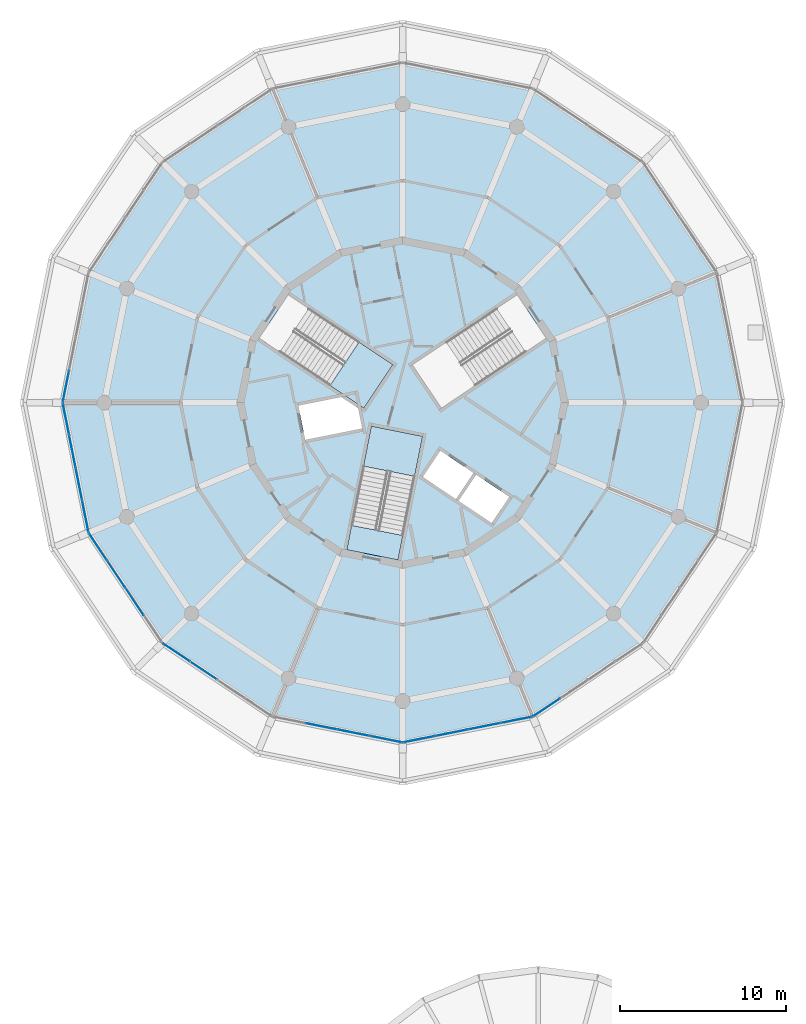
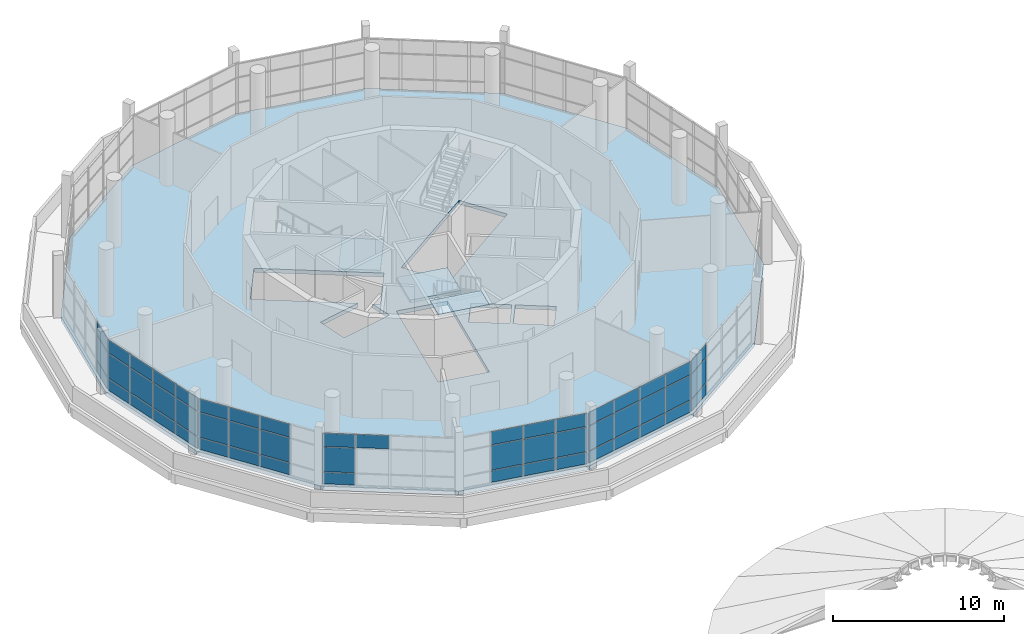
# One storey, part 13 of 21: 52 plates, 4 slabs, 9 elements without a shape of their own.
"""IFC4 building model written with IfcOpenShell, lengths in metres."""

from ifc_helpers import new_model, si_unit, direction, frame, origin, origin_2d, place, context, subcontext, project, spatial, polyline, rectangle, outline, extrude, material, layer, layer_set, type_object, element, aggregate, save


model = new_model("IFC4")

# Units and contexts
model_context = context("Model", 3, precision=1e-05, world=origin(), true_north=direction((0.0, 1.0)))
body_context = subcontext(model_context, "Body", "Model", "MODEL_VIEW")
ifc_project = project(units=[si_unit("LENGTHUNIT", "METRE"), si_unit("AREAUNIT", "SQUARE_METRE"), si_unit("VOLUMEUNIT", "CUBIC_METRE"), si_unit("PLANEANGLEUNIT", "RADIAN"), si_unit("MASSUNIT", "GRAM", prefix="KILO")], contexts=[model_context])

# Site, building, storey
site_placement = place(None, origin())
site = spatial("IfcSite", under=ifc_project, at=site_placement, CompositionType="ELEMENT")
building_placement = place(site_placement, origin())
building = spatial("IfcBuilding", under=site, at=building_placement, Name="Ceibo Conservatory and Research Tower", CompositionType="ELEMENT")
storey_placement = place(building_placement, frame((0.0, 0.0, 15.60009765625)))
storey = spatial("IfcBuildingStorey", under=building, at=storey_placement, Name="L03", CompositionType="ELEMENT", Elevation=15.60009765625)

# Stair, slab
ifc_material_1 = material(Name="Concrete C35/45", Category="concrete")
stair_type = type_object("IfcStairType", Name="Escape stair 171 x 280", PredefinedType="HALF_TURN_STAIR", material=ifc_material_1)
stair_1_placement = place(storey_placement, origin())
stair_1 = element("IfcStair", 1, at=stair_1_placement, inside=storey, type_object=stair_type, Name="Escape stair ST2 03", PredefinedType="HALF_TURN_STAIR")
ifc_layer_1 = layer(ifc_material_1, 0.199951171875)
ifc_layer_set_1 = layer_set([ifc_layer_1], Name="Concrete C35/45")
slab_type_1 = type_object("IfcSlabType", Name="Escape stair landing", PredefinedType="LANDING", material=ifc_layer_set_1)
slab_1_placement = place(storey_placement, frame((43.617919921875, 121.03369140625, 2.199951171875), z_axis=(0.0, 0.0, 1.0), x_axis=(0.831469612303, -0.55557023302, 0.0)))
slab_1 = element("IfcSlab", 2, at=slab_1_placement, type_object=slab_type_1, Name="ST2 landing 1", PredefinedType="LANDING", context=body_context, shape_type="SweptSolid", body=[
    extrude(outline(polyline([(0.0, 0.0), (2.4599609375, 0.0), (2.4599609375, 3.14990234375), (0.0, 3.14990234375), (0.0, 0.0)])), origin(), (0.0, 0.0, 1.0), 0.199951171875),
])
aggregate(stair_1, [slab_1])

# Stair, slabs
stair_2_placement = place(storey_placement, origin())
stair_2 = element("IfcStair", 3, at=stair_2_placement, inside=storey, type_object=stair_type, Name="Escape stair ST3 03", PredefinedType="HALF_TURN_STAIR")
slab_2_placement = place(storey_placement, frame((48.721923828125, 115.555908203125, 2.199951171875), z_axis=(0.0, 0.0, 1.0), x_axis=(0.195090322016, 0.980785280403, 0.0)))
slab_2 = element("IfcSlab", 4, at=slab_2_placement, type_object=slab_type_1, Name="ST3 landing 1", PredefinedType="LANDING", context=body_context, shape_type="SweptSolid", body=[
    extrude(outline(polyline([(0.0, 0.0), (2.460205078125, 0.0), (2.460205078125, 3.150146484375), (0.0, 3.150146484375), (0.0, 0.0)])), origin(), (0.0, 0.0, 1.0), 0.199951171875),
])
slab_3_placement = place(storey_placement, frame((47.718994140625, 110.5146484375, 4.599853515625), z_axis=(0.0, 0.0, 1.0), x_axis=(0.195090322016, 0.980785280403, 0.0)))
slab_3 = element("IfcSlab", 5, at=slab_3_placement, type_object=slab_type_1, Name="ST3 landing 2", PredefinedType="LANDING", context=body_context, shape_type="SweptSolid", body=[
    extrude(outline(polyline([(0.0, 0.0), (1.5, 0.0), (1.5, 3.14990234375), (0.0, 3.14990234375), (0.0, 0.0)])), origin(), (0.0, 0.0, 1.0), 0.199951171875),
])
aggregate(stair_2, [slab_2, slab_3])

# Curtain wall, plates
ifc_material_2 = material(Name="Aluminium and glass", Category="aluminium")
curtain_wall_type = type_object("IfcCurtainWallType", Name="Curtain wall CW1", PredefinedType="NOTDEFINED", material=ifc_material_2)
curtain_wall_1_placement = place(storey_placement, origin())
curtain_wall_1 = element("IfcCurtainWall", 6, at=curtain_wall_1_placement, inside=storey, type_object=curtain_wall_type, Name="CW-03.08", PredefinedType="NOTDEFINED")
ifc_material_3 = material(Name="Glass", Category="glass")
ifc_layer_2 = layer(ifc_material_3, 0.028076171875)
ifc_layer_set_2 = layer_set([ifc_layer_2], Name="Glass")
plate_type = type_object("IfcPlateType", Name="Insulated glass panel 28", PredefinedType="CURTAIN_PANEL", material=ifc_layer_set_2)
plate_1_placement = place(storey_placement, frame((27.697998046875, 120.995361328125, 0.059814453125), z_axis=(0.0, 0.0, 1.0), x_axis=(-0.195090380799, -0.980785268711, 0.0)))
plate_1 = element("IfcPlate", 7, at=plate_1_placement, type_object=plate_type, Name="CW-03.08 panel 4.1", PredefinedType="CURTAIN_PANEL", context=body_context, shape_type="SweptSolid", body=[
    extrude(rectangle(XDim=1.90966796875, YDim=0.028076171875, at=origin_2d()), origin(), (0.0, 0.0, 1.0), 0.81005859375),
])
plate_2_placement = place(storey_placement, frame((27.697998046875, 120.995361328125, 0.9296875), z_axis=(0.0, 0.0, 1.0), x_axis=(-0.195090380799, -0.980785268711, 0.0)))
plate_2 = element("IfcPlate", 8, at=plate_2_placement, type_object=plate_type, Name="CW-03.08 panel 4.2", PredefinedType="CURTAIN_PANEL", context=body_context, shape_type="SweptSolid", body=[
    extrude(rectangle(XDim=1.90966796875, YDim=0.028076171875, at=origin_2d()), origin(), (0.0, 0.0, 1.0), 1.739990234375),
])
plate_3_placement = place(storey_placement, frame((27.697998046875, 120.995361328125, 2.72998046875), z_axis=(0.0, 0.0, 1.0), x_axis=(-0.195090380799, -0.980785268711, 0.0)))
plate_3 = element("IfcPlate", 9, at=plate_3_placement, type_object=plate_type, Name="CW-03.08 panel 4.3", PredefinedType="CURTAIN_PANEL", context=body_context, shape_type="SweptSolid", body=[
    extrude(rectangle(XDim=1.90966796875, YDim=0.028076171875, at=origin_2d()), origin(), (0.0, 0.0, 1.0), 0.929931640625),
])
aggregate(curtain_wall_1, [plate_1, plate_2, plate_3])

curtain_wall_2_placement = place(storey_placement, origin())
curtain_wall_2 = element("IfcCurtainWall", 10, at=curtain_wall_2_placement, inside=storey, type_object=curtain_wall_type, Name="CW-03.09", PredefinedType="NOTDEFINED")
plate_4_placement = place(storey_placement, frame((27.697998046875, 119.004638671875, 0.059814453125), z_axis=(0.0, 0.0, 1.0), x_axis=(0.195090380799, -0.980785268711, 0.0)))
plate_4 = element("IfcPlate", 11, at=plate_4_placement, type_object=plate_type, Name="CW-03.09 panel 1.1", PredefinedType="CURTAIN_PANEL", context=body_context, shape_type="SweptSolid", body=[
    extrude(rectangle(XDim=1.90966796875, YDim=0.028076171875, at=origin_2d()), origin(), (0.0, 0.0, 1.0), 0.81005859375),
])
plate_5_placement = place(storey_placement, frame((27.697998046875, 119.004638671875, 0.9296875), z_axis=(0.0, 0.0, 1.0), x_axis=(0.195090380799, -0.980785268711, 0.0)))
plate_5 = element("IfcPlate", 12, at=plate_5_placement, type_object=plate_type, Name="CW-03.09 panel 1.2", PredefinedType="CURTAIN_PANEL", context=body_context, shape_type="SweptSolid", body=[
    extrude(rectangle(XDim=1.90966796875, YDim=0.028076171875, at=origin_2d()), origin(), (0.0, 0.0, 1.0), 1.739990234375),
])
plate_6_placement = place(storey_placement, frame((27.697998046875, 119.004638671875, 2.72998046875), z_axis=(0.0, 0.0, 1.0), x_axis=(0.195090380799, -0.980785268711, 0.0)))
plate_6 = element("IfcPlate", 13, at=plate_6_placement, type_object=plate_type, Name="CW-03.09 panel 1.3", PredefinedType="CURTAIN_PANEL", context=body_context, shape_type="SweptSolid", body=[
    extrude(rectangle(XDim=1.90966796875, YDim=0.028076171875, at=origin_2d()), origin(), (0.0, 0.0, 1.0), 0.929931640625),
])
plate_7_placement = place(storey_placement, frame((28.085205078125, 117.05810546875, 0.059814453125), z_axis=(0.0, 0.0, 1.0), x_axis=(0.195090380799, -0.980785268711, 0.0)))
plate_7 = element("IfcPlate", 14, at=plate_7_placement, type_object=plate_type, Name="CW-03.09 panel 2.1", PredefinedType="CURTAIN_PANEL", context=body_context, shape_type="SweptSolid", body=[
    extrude(rectangle(XDim=1.939697265625, YDim=0.028076171875, at=origin_2d()), origin(), (0.0, 0.0, 1.0), 0.81005859375),
])
plate_8_placement = place(storey_placement, frame((28.085205078125, 117.05810546875, 0.9296875), z_axis=(0.0, 0.0, 1.0), x_axis=(0.195090380799, -0.980785268711, 0.0)))
plate_8 = element("IfcPlate", 15, at=plate_8_placement, type_object=plate_type, Name="CW-03.09 panel 2.2", PredefinedType="CURTAIN_PANEL", context=body_context, shape_type="SweptSolid", body=[
    extrude(rectangle(XDim=1.939697265625, YDim=0.028076171875, at=origin_2d()), origin(), (0.0, 0.0, 1.0), 1.739990234375),
])
plate_9_placement = place(storey_placement, frame((28.085205078125, 117.05810546875, 2.72998046875), z_axis=(0.0, 0.0, 1.0), x_axis=(0.195090380799, -0.980785268711, 0.0)))
plate_9 = element("IfcPlate", 16, at=plate_9_placement, type_object=plate_type, Name="CW-03.09 panel 2.3", PredefinedType="CURTAIN_PANEL", context=body_context, shape_type="SweptSolid", body=[
    extrude(rectangle(XDim=1.939697265625, YDim=0.028076171875, at=origin_2d()), origin(), (0.0, 0.0, 1.0), 0.929931640625),
])
plate_10_placement = place(storey_placement, frame((28.475341796875, 115.096923828125, 0.059814453125), z_axis=(0.0, 0.0, 1.0), x_axis=(0.195090380799, -0.980785268711, 0.0)))
plate_10 = element("IfcPlate", 17, at=plate_10_placement, type_object=plate_type, Name="CW-03.09 panel 3.1", PredefinedType="CURTAIN_PANEL", context=body_context, shape_type="SweptSolid", body=[
    extrude(rectangle(XDim=1.939697265625, YDim=0.028076171875, at=origin_2d()), origin(), (0.0, 0.0, 1.0), 0.81005859375),
])
plate_11_placement = place(storey_placement, frame((28.475341796875, 115.096923828125, 0.9296875), z_axis=(0.0, 0.0, 1.0), x_axis=(0.195090380799, -0.980785268711, 0.0)))
plate_11 = element("IfcPlate", 18, at=plate_11_placement, type_object=plate_type, Name="CW-03.09 panel 3.2", PredefinedType="CURTAIN_PANEL", context=body_context, shape_type="SweptSolid", body=[
    extrude(rectangle(XDim=1.939697265625, YDim=0.028076171875, at=origin_2d()), origin(), (0.0, 0.0, 1.0), 1.739990234375),
])
plate_12_placement = place(storey_placement, frame((28.475341796875, 115.096923828125, 2.72998046875), z_axis=(0.0, 0.0, 1.0), x_axis=(0.195090380799, -0.980785268711, 0.0)))
plate_12 = element("IfcPlate", 19, at=plate_12_placement, type_object=plate_type, Name="CW-03.09 panel 3.3", PredefinedType="CURTAIN_PANEL", context=body_context, shape_type="SweptSolid", body=[
    extrude(rectangle(XDim=1.939697265625, YDim=0.028076171875, at=origin_2d()), origin(), (0.0, 0.0, 1.0), 0.929931640625),
])
plate_13_placement = place(storey_placement, frame((28.862548828125, 113.150390625, 0.059814453125), z_axis=(0.0, 0.0, 1.0), x_axis=(0.195090380799, -0.980785268711, 0.0)))
plate_13 = element("IfcPlate", 20, at=plate_13_placement, type_object=plate_type, Name="CW-03.09 panel 4.1", PredefinedType="CURTAIN_PANEL", context=body_context, shape_type="SweptSolid", body=[
    extrude(rectangle(XDim=1.90966796875, YDim=0.028076171875, at=origin_2d()), origin(), (0.0, 0.0, 1.0), 0.81005859375),
])
plate_14_placement = place(storey_placement, frame((28.862548828125, 113.150390625, 0.9296875), z_axis=(0.0, 0.0, 1.0), x_axis=(0.195090380799, -0.980785268711, 0.0)))
plate_14 = element("IfcPlate", 21, at=plate_14_placement, type_object=plate_type, Name="CW-03.09 panel 4.2", PredefinedType="CURTAIN_PANEL", context=body_context, shape_type="SweptSolid", body=[
    extrude(rectangle(XDim=1.90966796875, YDim=0.028076171875, at=origin_2d()), origin(), (0.0, 0.0, 1.0), 1.739990234375),
])
plate_15_placement = place(storey_placement, frame((28.862548828125, 113.150390625, 2.72998046875), z_axis=(0.0, 0.0, 1.0), x_axis=(0.195090380799, -0.980785268711, 0.0)))
plate_15 = element("IfcPlate", 22, at=plate_15_placement, type_object=plate_type, Name="CW-03.09 panel 4.3", PredefinedType="CURTAIN_PANEL", context=body_context, shape_type="SweptSolid", body=[
    extrude(rectangle(XDim=1.90966796875, YDim=0.028076171875, at=origin_2d()), origin(), (0.0, 0.0, 1.0), 0.929931640625),
])
aggregate(curtain_wall_2, [plate_4, plate_5, plate_6, plate_7, plate_8, plate_9, plate_10, plate_11, plate_12, plate_13, plate_14, plate_15])

curtain_wall_3_placement = place(storey_placement, origin())
curtain_wall_3 = element("IfcCurtainWall", 23, at=curtain_wall_3_placement, inside=storey, type_object=curtain_wall_type, Name="CW-03.10", PredefinedType="NOTDEFINED")
plate_16_placement = place(storey_placement, frame((29.624267578125, 111.311279296875, 0.059814453125), z_axis=(0.0, 0.0, 1.0), x_axis=(0.555570178092, -0.831469649004, 0.0)))
plate_16 = element("IfcPlate", 24, at=plate_16_placement, type_object=plate_type, Name="CW-03.10 panel 1.1", PredefinedType="CURTAIN_PANEL", context=body_context, shape_type="SweptSolid", body=[
    extrude(rectangle(XDim=1.90966796875, YDim=0.028076171875, at=origin_2d()), origin(), (0.0, 0.0, 1.0), 0.81005859375),
])
plate_17_placement = place(storey_placement, frame((29.624267578125, 111.311279296875, 0.9296875), z_axis=(0.0, 0.0, 1.0), x_axis=(0.555570178092, -0.831469649004, 0.0)))
plate_17 = element("IfcPlate", 25, at=plate_17_placement, type_object=plate_type, Name="CW-03.10 panel 1.2", PredefinedType="CURTAIN_PANEL", context=body_context, shape_type="SweptSolid", body=[
    extrude(rectangle(XDim=1.90966796875, YDim=0.028076171875, at=origin_2d()), origin(), (0.0, 0.0, 1.0), 1.739990234375),
])
plate_18_placement = place(storey_placement, frame((29.624267578125, 111.311279296875, 2.72998046875), z_axis=(0.0, 0.0, 1.0), x_axis=(0.555570178092, -0.831469649004, 0.0)))
plate_18 = element("IfcPlate", 26, at=plate_18_placement, type_object=plate_type, Name="CW-03.10 panel 1.3", PredefinedType="CURTAIN_PANEL", context=body_context, shape_type="SweptSolid", body=[
    extrude(rectangle(XDim=1.90966796875, YDim=0.028076171875, at=origin_2d()), origin(), (0.0, 0.0, 1.0), 0.929931640625),
])
plate_19_placement = place(storey_placement, frame((30.726806640625, 109.660888671875, 0.059814453125), z_axis=(0.0, 0.0, 1.0), x_axis=(0.555570178092, -0.831469649004, 0.0)))
plate_19 = element("IfcPlate", 27, at=plate_19_placement, type_object=plate_type, Name="CW-03.10 panel 2.1", PredefinedType="CURTAIN_PANEL", context=body_context, shape_type="SweptSolid", body=[
    extrude(rectangle(XDim=1.939697265625, YDim=0.028076171875, at=origin_2d()), origin(), (0.0, 0.0, 1.0), 0.81005859375),
])
plate_20_placement = place(storey_placement, frame((30.726806640625, 109.660888671875, 0.9296875), z_axis=(0.0, 0.0, 1.0), x_axis=(0.555570178092, -0.831469649004, 0.0)))
plate_20 = element("IfcPlate", 28, at=plate_20_placement, type_object=plate_type, Name="CW-03.10 panel 2.2", PredefinedType="CURTAIN_PANEL", context=body_context, shape_type="SweptSolid", body=[
    extrude(rectangle(XDim=1.939697265625, YDim=0.028076171875, at=origin_2d()), origin(), (0.0, 0.0, 1.0), 1.739990234375),
])
plate_21_placement = place(storey_placement, frame((30.726806640625, 109.660888671875, 2.72998046875), z_axis=(0.0, 0.0, 1.0), x_axis=(0.555570178092, -0.831469649004, 0.0)))
plate_21 = element("IfcPlate", 29, at=plate_21_placement, type_object=plate_type, Name="CW-03.10 panel 2.3", PredefinedType="CURTAIN_PANEL", context=body_context, shape_type="SweptSolid", body=[
    extrude(rectangle(XDim=1.939697265625, YDim=0.028076171875, at=origin_2d()), origin(), (0.0, 0.0, 1.0), 0.929931640625),
])
plate_22_placement = place(storey_placement, frame((31.837890625, 107.998291015625, 0.059814453125), z_axis=(0.0, 0.0, 1.0), x_axis=(0.555570178092, -0.831469649004, 0.0)))
plate_22 = element("IfcPlate", 30, at=plate_22_placement, type_object=plate_type, Name="CW-03.10 panel 3.1", PredefinedType="CURTAIN_PANEL", context=body_context, shape_type="SweptSolid", body=[
    extrude(rectangle(XDim=1.939697265625, YDim=0.028076171875, at=origin_2d()), origin(), (0.0, 0.0, 1.0), 0.81005859375),
])
plate_23_placement = place(storey_placement, frame((31.837890625, 107.998291015625, 0.9296875), z_axis=(0.0, 0.0, 1.0), x_axis=(0.555570178092, -0.831469649004, 0.0)))
plate_23 = element("IfcPlate", 31, at=plate_23_placement, type_object=plate_type, Name="CW-03.10 panel 3.2", PredefinedType="CURTAIN_PANEL", context=body_context, shape_type="SweptSolid", body=[
    extrude(rectangle(XDim=1.939697265625, YDim=0.028076171875, at=origin_2d()), origin(), (0.0, 0.0, 1.0), 1.739990234375),
])
plate_24_placement = place(storey_placement, frame((31.837890625, 107.998291015625, 2.72998046875), z_axis=(0.0, 0.0, 1.0), x_axis=(0.555570178092, -0.831469649004, 0.0)))
plate_24 = element("IfcPlate", 32, at=plate_24_placement, type_object=plate_type, Name="CW-03.10 panel 3.3", PredefinedType="CURTAIN_PANEL", context=body_context, shape_type="SweptSolid", body=[
    extrude(rectangle(XDim=1.939697265625, YDim=0.028076171875, at=origin_2d()), origin(), (0.0, 0.0, 1.0), 0.929931640625),
])
aggregate(curtain_wall_3, [plate_16, plate_17, plate_18, plate_19, plate_20, plate_21, plate_22, plate_23, plate_24])

curtain_wall_4_placement = place(storey_placement, origin())
curtain_wall_4 = element("IfcCurtainWall", 33, at=curtain_wall_4_placement, inside=storey, type_object=curtain_wall_type, Name="CW-03.11", PredefinedType="NOTDEFINED")
plate_25_placement = place(storey_placement, frame((34.34814453125, 104.9404296875, 0.059814453125), z_axis=(0.0, 0.0, 1.0), x_axis=(0.831469649004, -0.555570178092, 0.0)))
plate_25 = element("IfcPlate", 34, at=plate_25_placement, type_object=plate_type, Name="CW-03.11 panel 1.1", PredefinedType="CURTAIN_PANEL", context=body_context, shape_type="SweptSolid", body=[
    extrude(rectangle(XDim=1.90966796875, YDim=0.028076171875, at=origin_2d()), origin(), (0.0, 0.0, 1.0), 0.81005859375),
])
plate_26_placement = place(storey_placement, frame((34.34814453125, 104.9404296875, 0.9296875), z_axis=(0.0, 0.0, 1.0), x_axis=(0.831469649004, -0.555570178092, 0.0)))
plate_26 = element("IfcPlate", 35, at=plate_26_placement, type_object=plate_type, Name="CW-03.11 panel 1.2", PredefinedType="CURTAIN_PANEL", context=body_context, shape_type="SweptSolid", body=[
    extrude(rectangle(XDim=1.90966796875, YDim=0.028076171875, at=origin_2d()), origin(), (0.0, 0.0, 1.0), 1.739990234375),
])
plate_27_placement = place(storey_placement, frame((34.34814453125, 104.9404296875, 2.72998046875), z_axis=(0.0, 0.0, 1.0), x_axis=(0.831469649004, -0.555570178092, 0.0)))
plate_27 = element("IfcPlate", 36, at=plate_27_placement, type_object=plate_type, Name="CW-03.11 panel 1.3", PredefinedType="CURTAIN_PANEL", context=body_context, shape_type="SweptSolid", body=[
    extrude(rectangle(XDim=1.90966796875, YDim=0.028076171875, at=origin_2d()), origin(), (0.0, 0.0, 1.0), 0.929931640625),
])
plate_28_placement = place(storey_placement, frame((35.998291015625, 103.837890625, 2.72998046875), z_axis=(0.0, 0.0, 1.0), x_axis=(0.831469649004, -0.555570178092, 0.0)))
plate_28 = element("IfcPlate", 37, at=plate_28_placement, type_object=plate_type, Name="CW-03.11 panel 2.3", PredefinedType="CURTAIN_PANEL", context=body_context, shape_type="SweptSolid", body=[
    extrude(rectangle(XDim=1.939697265625, YDim=0.028076171875, at=origin_2d()), origin(), (0.0, 0.0, 1.0), 0.929931640625),
])
aggregate(curtain_wall_4, [plate_25, plate_26, plate_27, plate_28])

curtain_wall_5_placement = place(storey_placement, origin())
curtain_wall_5 = element("IfcCurtainWall", 38, at=curtain_wall_5_placement, inside=storey, type_object=curtain_wall_type, Name="CW-03.12", PredefinedType="NOTDEFINED")
plate_29_placement = place(storey_placement, frame((43.096923828125, 100.475341796875, 0.059814453125), z_axis=(0.0, 0.0, 1.0), x_axis=(0.980785268711, -0.195090380799, 0.0)))
plate_29 = element("IfcPlate", 39, at=plate_29_placement, type_object=plate_type, Name="CW-03.12 panel 2.1", PredefinedType="CURTAIN_PANEL", context=body_context, shape_type="SweptSolid", body=[
    extrude(rectangle(XDim=1.939697265625, YDim=0.028076171875, at=origin_2d()), origin(), (0.0, 0.0, 1.0), 0.81005859375),
])
plate_30_placement = place(storey_placement, frame((43.096923828125, 100.475341796875, 0.9296875), z_axis=(0.0, 0.0, 1.0), x_axis=(0.980785268711, -0.195090380799, 0.0)))
plate_30 = element("IfcPlate", 40, at=plate_30_placement, type_object=plate_type, Name="CW-03.12 panel 2.2", PredefinedType="CURTAIN_PANEL", context=body_context, shape_type="SweptSolid", body=[
    extrude(rectangle(XDim=1.939697265625, YDim=0.028076171875, at=origin_2d()), origin(), (0.0, 0.0, 1.0), 1.739990234375),
])
plate_31_placement = place(storey_placement, frame((43.096923828125, 100.475341796875, 2.72998046875), z_axis=(0.0, 0.0, 1.0), x_axis=(0.980785268711, -0.195090380799, 0.0)))
plate_31 = element("IfcPlate", 41, at=plate_31_placement, type_object=plate_type, Name="CW-03.12 panel 2.3", PredefinedType="CURTAIN_PANEL", context=body_context, shape_type="SweptSolid", body=[
    extrude(rectangle(XDim=1.939697265625, YDim=0.028076171875, at=origin_2d()), origin(), (0.0, 0.0, 1.0), 0.929931640625),
])
plate_32_placement = place(storey_placement, frame((45.05810546875, 100.085205078125, 0.059814453125), z_axis=(0.0, 0.0, 1.0), x_axis=(0.980785268711, -0.195090380799, 0.0)))
plate_32 = element("IfcPlate", 42, at=plate_32_placement, type_object=plate_type, Name="CW-03.12 panel 3.1", PredefinedType="CURTAIN_PANEL", context=body_context, shape_type="SweptSolid", body=[
    extrude(rectangle(XDim=1.939697265625, YDim=0.028076171875, at=origin_2d()), origin(), (0.0, 0.0, 1.0), 0.81005859375),
])
plate_33_placement = place(storey_placement, frame((45.05810546875, 100.085205078125, 0.9296875), z_axis=(0.0, 0.0, 1.0), x_axis=(0.980785268711, -0.195090380799, 0.0)))
plate_33 = element("IfcPlate", 43, at=plate_33_placement, type_object=plate_type, Name="CW-03.12 panel 3.2", PredefinedType="CURTAIN_PANEL", context=body_context, shape_type="SweptSolid", body=[
    extrude(rectangle(XDim=1.939697265625, YDim=0.028076171875, at=origin_2d()), origin(), (0.0, 0.0, 1.0), 1.739990234375),
])
plate_34_placement = place(storey_placement, frame((45.05810546875, 100.085205078125, 2.72998046875), z_axis=(0.0, 0.0, 1.0), x_axis=(0.980785268711, -0.195090380799, 0.0)))
plate_34 = element("IfcPlate", 44, at=plate_34_placement, type_object=plate_type, Name="CW-03.12 panel 3.3", PredefinedType="CURTAIN_PANEL", context=body_context, shape_type="SweptSolid", body=[
    extrude(rectangle(XDim=1.939697265625, YDim=0.028076171875, at=origin_2d()), origin(), (0.0, 0.0, 1.0), 0.929931640625),
])
plate_35_placement = place(storey_placement, frame((47.004638671875, 99.697998046875, 0.059814453125), z_axis=(0.0, 0.0, 1.0), x_axis=(0.980785268711, -0.195090380799, 0.0)))
plate_35 = element("IfcPlate", 45, at=plate_35_placement, type_object=plate_type, Name="CW-03.12 panel 4.1", PredefinedType="CURTAIN_PANEL", context=body_context, shape_type="SweptSolid", body=[
    extrude(rectangle(XDim=1.90966796875, YDim=0.028076171875, at=origin_2d()), origin(), (0.0, 0.0, 1.0), 0.81005859375),
])
plate_36_placement = place(storey_placement, frame((47.004638671875, 99.697998046875, 0.9296875), z_axis=(0.0, 0.0, 1.0), x_axis=(0.980785268711, -0.195090380799, 0.0)))
plate_36 = element("IfcPlate", 46, at=plate_36_placement, type_object=plate_type, Name="CW-03.12 panel 4.2", PredefinedType="CURTAIN_PANEL", context=body_context, shape_type="SweptSolid", body=[
    extrude(rectangle(XDim=1.90966796875, YDim=0.028076171875, at=origin_2d()), origin(), (0.0, 0.0, 1.0), 1.739990234375),
])
plate_37_placement = place(storey_placement, frame((47.004638671875, 99.697998046875, 2.72998046875), z_axis=(0.0, 0.0, 1.0), x_axis=(0.980785268711, -0.195090380799, 0.0)))
plate_37 = element("IfcPlate", 47, at=plate_37_placement, type_object=plate_type, Name="CW-03.12 panel 4.3", PredefinedType="CURTAIN_PANEL", context=body_context, shape_type="SweptSolid", body=[
    extrude(rectangle(XDim=1.90966796875, YDim=0.028076171875, at=origin_2d()), origin(), (0.0, 0.0, 1.0), 0.929931640625),
])
aggregate(curtain_wall_5, [plate_29, plate_30, plate_31, plate_32, plate_33, plate_34, plate_35, plate_36, plate_37])

curtain_wall_6_placement = place(storey_placement, origin())
curtain_wall_6 = element("IfcCurtainWall", 48, at=curtain_wall_6_placement, inside=storey, type_object=curtain_wall_type, Name="CW-03.13", PredefinedType="NOTDEFINED")
plate_38_placement = place(storey_placement, frame((48.995361328125, 99.697998046875, 0.059814453125), z_axis=(0.0, 0.0, 1.0), x_axis=(0.980785268711, 0.195090380799, 0.0)))
plate_38 = element("IfcPlate", 49, at=plate_38_placement, type_object=plate_type, Name="CW-03.13 panel 1.1", PredefinedType="CURTAIN_PANEL", context=body_context, shape_type="SweptSolid", body=[
    extrude(rectangle(XDim=1.90966796875, YDim=0.028076171875, at=origin_2d()), origin(), (0.0, 0.0, 1.0), 0.81005859375),
])
plate_39_placement = place(storey_placement, frame((48.995361328125, 99.697998046875, 0.9296875), z_axis=(0.0, 0.0, 1.0), x_axis=(0.980785268711, 0.195090380799, 0.0)))
plate_39 = element("IfcPlate", 50, at=plate_39_placement, type_object=plate_type, Name="CW-03.13 panel 1.2", PredefinedType="CURTAIN_PANEL", context=body_context, shape_type="SweptSolid", body=[
    extrude(rectangle(XDim=1.90966796875, YDim=0.028076171875, at=origin_2d()), origin(), (0.0, 0.0, 1.0), 1.739990234375),
])
plate_40_placement = place(storey_placement, frame((48.995361328125, 99.697998046875, 2.72998046875), z_axis=(0.0, 0.0, 1.0), x_axis=(0.980785268711, 0.195090380799, 0.0)))
plate_40 = element("IfcPlate", 51, at=plate_40_placement, type_object=plate_type, Name="CW-03.13 panel 1.3", PredefinedType="CURTAIN_PANEL", context=body_context, shape_type="SweptSolid", body=[
    extrude(rectangle(XDim=1.90966796875, YDim=0.028076171875, at=origin_2d()), origin(), (0.0, 0.0, 1.0), 0.929931640625),
])
plate_41_placement = place(storey_placement, frame((50.94189453125, 100.085205078125, 0.059814453125), z_axis=(0.0, 0.0, 1.0), x_axis=(0.980785268711, 0.195090380799, 0.0)))
plate_41 = element("IfcPlate", 52, at=plate_41_placement, type_object=plate_type, Name="CW-03.13 panel 2.1", PredefinedType="CURTAIN_PANEL", context=body_context, shape_type="SweptSolid", body=[
    extrude(rectangle(XDim=1.939697265625, YDim=0.028076171875, at=origin_2d()), origin(), (0.0, 0.0, 1.0), 0.81005859375),
])
plate_42_placement = place(storey_placement, frame((50.94189453125, 100.085205078125, 0.9296875), z_axis=(0.0, 0.0, 1.0), x_axis=(0.980785268711, 0.195090380799, 0.0)))
plate_42 = element("IfcPlate", 53, at=plate_42_placement, type_object=plate_type, Name="CW-03.13 panel 2.2", PredefinedType="CURTAIN_PANEL", context=body_context, shape_type="SweptSolid", body=[
    extrude(rectangle(XDim=1.939697265625, YDim=0.028076171875, at=origin_2d()), origin(), (0.0, 0.0, 1.0), 1.739990234375),
])
plate_43_placement = place(storey_placement, frame((50.94189453125, 100.085205078125, 2.72998046875), z_axis=(0.0, 0.0, 1.0), x_axis=(0.980785268711, 0.195090380799, 0.0)))
plate_43 = element("IfcPlate", 54, at=plate_43_placement, type_object=plate_type, Name="CW-03.13 panel 2.3", PredefinedType="CURTAIN_PANEL", context=body_context, shape_type="SweptSolid", body=[
    extrude(rectangle(XDim=1.939697265625, YDim=0.028076171875, at=origin_2d()), origin(), (0.0, 0.0, 1.0), 0.929931640625),
])
plate_44_placement = place(storey_placement, frame((52.903076171875, 100.475341796875, 0.059814453125), z_axis=(0.0, 0.0, 1.0), x_axis=(0.980785268711, 0.195090380799, 0.0)))
plate_44 = element("IfcPlate", 55, at=plate_44_placement, type_object=plate_type, Name="CW-03.13 panel 3.1", PredefinedType="CURTAIN_PANEL", context=body_context, shape_type="SweptSolid", body=[
    extrude(rectangle(XDim=1.939697265625, YDim=0.028076171875, at=origin_2d()), origin(), (0.0, 0.0, 1.0), 0.81005859375),
])
plate_45_placement = place(storey_placement, frame((52.903076171875, 100.475341796875, 0.9296875), z_axis=(0.0, 0.0, 1.0), x_axis=(0.980785268711, 0.195090380799, 0.0)))
plate_45 = element("IfcPlate", 56, at=plate_45_placement, type_object=plate_type, Name="CW-03.13 panel 3.2", PredefinedType="CURTAIN_PANEL", context=body_context, shape_type="SweptSolid", body=[
    extrude(rectangle(XDim=1.939697265625, YDim=0.028076171875, at=origin_2d()), origin(), (0.0, 0.0, 1.0), 1.739990234375),
])
plate_46_placement = place(storey_placement, frame((52.903076171875, 100.475341796875, 2.72998046875), z_axis=(0.0, 0.0, 1.0), x_axis=(0.980785268711, 0.195090380799, 0.0)))
plate_46 = element("IfcPlate", 57, at=plate_46_placement, type_object=plate_type, Name="CW-03.13 panel 3.3", PredefinedType="CURTAIN_PANEL", context=body_context, shape_type="SweptSolid", body=[
    extrude(rectangle(XDim=1.939697265625, YDim=0.028076171875, at=origin_2d()), origin(), (0.0, 0.0, 1.0), 0.929931640625),
])
plate_47_placement = place(storey_placement, frame((54.849609375, 100.862548828125, 0.059814453125), z_axis=(0.0, 0.0, 1.0), x_axis=(0.980785268711, 0.195090380799, 0.0)))
plate_47 = element("IfcPlate", 58, at=plate_47_placement, type_object=plate_type, Name="CW-03.13 panel 4.1", PredefinedType="CURTAIN_PANEL", context=body_context, shape_type="SweptSolid", body=[
    extrude(rectangle(XDim=1.90966796875, YDim=0.028076171875, at=origin_2d()), origin(), (0.0, 0.0, 1.0), 0.81005859375),
])
plate_48_placement = place(storey_placement, frame((54.849609375, 100.862548828125, 0.9296875), z_axis=(0.0, 0.0, 1.0), x_axis=(0.980785268711, 0.195090380799, 0.0)))
plate_48 = element("IfcPlate", 59, at=plate_48_placement, type_object=plate_type, Name="CW-03.13 panel 4.2", PredefinedType="CURTAIN_PANEL", context=body_context, shape_type="SweptSolid", body=[
    extrude(rectangle(XDim=1.90966796875, YDim=0.028076171875, at=origin_2d()), origin(), (0.0, 0.0, 1.0), 1.739990234375),
])
plate_49_placement = place(storey_placement, frame((54.849609375, 100.862548828125, 2.72998046875), z_axis=(0.0, 0.0, 1.0), x_axis=(0.980785268711, 0.195090380799, 0.0)))
plate_49 = element("IfcPlate", 60, at=plate_49_placement, type_object=plate_type, Name="CW-03.13 panel 4.3", PredefinedType="CURTAIN_PANEL", context=body_context, shape_type="SweptSolid", body=[
    extrude(rectangle(XDim=1.90966796875, YDim=0.028076171875, at=origin_2d()), origin(), (0.0, 0.0, 1.0), 0.929931640625),
])
aggregate(curtain_wall_6, [plate_38, plate_39, plate_40, plate_41, plate_42, plate_43, plate_44, plate_45, plate_46, plate_47, plate_48, plate_49])

curtain_wall_7_placement = place(storey_placement, origin())
curtain_wall_7 = element("IfcCurtainWall", 61, at=curtain_wall_7_placement, inside=storey, type_object=curtain_wall_type, Name="CW-03.14", PredefinedType="NOTDEFINED")
plate_50_placement = place(storey_placement, frame((56.688720703125, 101.624267578125, 0.059814453125), z_axis=(0.0, 0.0, 1.0), x_axis=(0.831469649004, 0.555570178092, 0.0)))
plate_50 = element("IfcPlate", 62, at=plate_50_placement, type_object=plate_type, Name="CW-03.14 panel 1.1", PredefinedType="CURTAIN_PANEL", context=body_context, shape_type="SweptSolid", body=[
    extrude(rectangle(XDim=1.90966796875, YDim=0.028076171875, at=origin_2d()), origin(), (0.0, 0.0, 1.0), 0.81005859375),
])
plate_51_placement = place(storey_placement, frame((56.688720703125, 101.624267578125, 0.9296875), z_axis=(0.0, 0.0, 1.0), x_axis=(0.831469649004, 0.555570178092, 0.0)))
plate_51 = element("IfcPlate", 63, at=plate_51_placement, type_object=plate_type, Name="CW-03.14 panel 1.2", PredefinedType="CURTAIN_PANEL", context=body_context, shape_type="SweptSolid", body=[
    extrude(rectangle(XDim=1.90966796875, YDim=0.028076171875, at=origin_2d()), origin(), (0.0, 0.0, 1.0), 1.739990234375),
])
plate_52_placement = place(storey_placement, frame((56.688720703125, 101.624267578125, 2.72998046875), z_axis=(0.0, 0.0, 1.0), x_axis=(0.831469649004, 0.555570178092, 0.0)))
plate_52 = element("IfcPlate", 64, at=plate_52_placement, type_object=plate_type, Name="CW-03.14 panel 1.3", PredefinedType="CURTAIN_PANEL", context=body_context, shape_type="SweptSolid", body=[
    extrude(rectangle(XDim=1.90966796875, YDim=0.028076171875, at=origin_2d()), origin(), (0.0, 0.0, 1.0), 0.929931640625),
])
aggregate(curtain_wall_7, [plate_50, plate_51, plate_52])

# Slab
ifc_layer_3 = layer(ifc_material_1, 0.280029296875)
ifc_layer_set_3 = layer_set([ifc_layer_3], Name="Concrete C35/45")
slab_type_2 = type_object("IfcSlabType", Name="RC floor slab 280", PredefinedType="FLOOR", material=ifc_layer_set_3)
slab_4_placement = place(storey_placement, frame((0.0, 0.0, -0.280029296875)))
element("IfcSlab", 65, at=slab_4_placement, inside=storey, type_object=slab_type_2, Name="Floor slab L03", PredefinedType="FLOOR", context=body_context, shape_type="SweptSolid", body=[
    extrude(outline(polyline([(68.678466796875, 120.0), (67.1044921875, 127.913330078125), (62.621826171875, 134.621826171875), (55.913330078125, 139.1044921875), (48.0, 140.678466796875), (40.086669921875, 139.1044921875), (33.378173828125, 134.621826171875), (28.8955078125, 127.913330078125), (27.321533203125, 120.0), (28.8955078125, 112.086669921875), (33.378173828125, 105.378173828125), (40.086669921875, 100.8955078125), (48.0, 99.321533203125), (55.913330078125, 100.8955078125), (62.621826171875, 105.378173828125), (67.1044921875, 112.086669921875), (68.678466796875, 120.0)]), holes=[polyline([(52.43310546875, 115.65478515625), (51.37744140625, 114.074951171875), (53.373046875, 112.74169921875), (54.428466796875, 114.321533203125), (52.43310546875, 115.65478515625)]), polyline([(47.718994140625, 110.5146484375), (49.201904296875, 117.96875), (46.1123046875, 118.583251953125), (44.629638671875, 111.129150390625), (47.718994140625, 110.5146484375)]), polyline([(52.266845703125, 115.765869140625), (50.271240234375, 117.099365234375), (49.215576171875, 115.51953125), (51.211181640625, 114.18603515625), (52.266845703125, 115.765869140625)]), polyline([(42.1240234375, 117.760498046875), (45.556640625, 118.443359375), (45.259521484375, 119.936767578125), (45.663330078125, 119.6669921875), (47.413330078125, 122.2861328125), (41.09423828125, 126.508544921875), (39.34423828125, 123.889404296875), (44.58056640625, 120.390380859375), (41.71435546875, 119.8203125), (42.1240234375, 117.760498046875)]), polyline([(54.90576171875, 126.508544921875), (48.586669921875, 122.2861328125), (50.336669921875, 119.6669921875), (56.65576171875, 123.889404296875), (54.90576171875, 126.508544921875)])]), origin(), (0.0, 0.0, 1.0), 0.280029296875),
])

save(model, "model.ifc")
